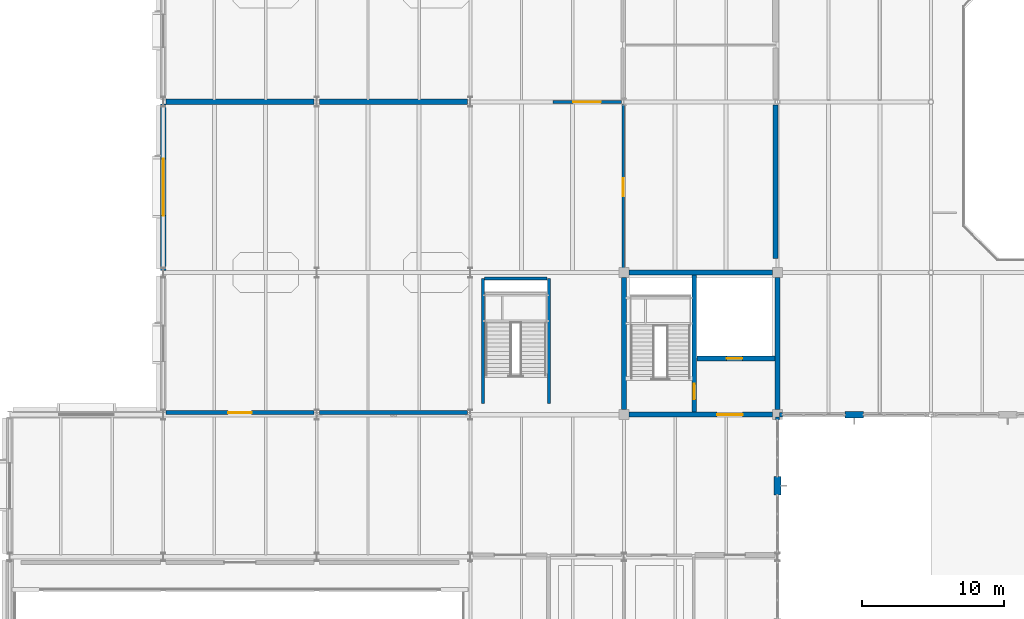
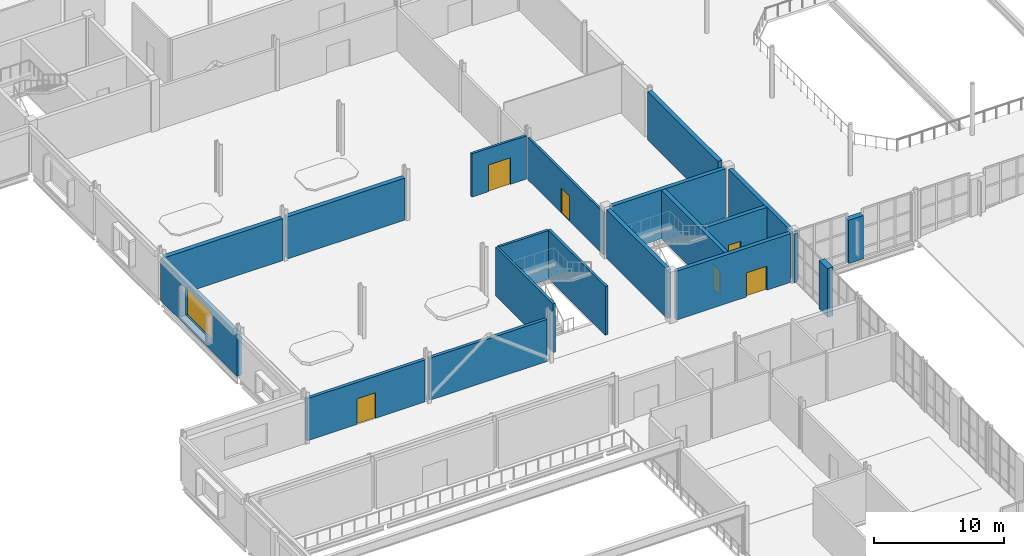
# One storey, part 75 of 92: 21 walls, 6 doors, 1 window, 7 openings.
"""IFC4 building model written with IfcOpenShell, lengths in metres."""

from ifc_helpers import new_model, si_unit, direction, frame, frame_2d, origin, place, context, subcontext, project, spatial, rectangle, extrude, material, layer, layer_set, type_object, element, fill, save


model = new_model("IFC4")

# Units and contexts
model_context = context("Model", 3, precision=1e-05, world=origin(), true_north=direction((0.0, 1.0)))
body_context = subcontext(model_context, "Body", "Model", "MODEL_VIEW")
ifc_project = project(units=[si_unit("LENGTHUNIT", "METRE"), si_unit("AREAUNIT", "SQUARE_METRE"), si_unit("VOLUMEUNIT", "CUBIC_METRE"), si_unit("PLANEANGLEUNIT", "RADIAN"), si_unit("MASSUNIT", "GRAM", prefix="KILO")], contexts=[model_context])

# Site, building, storey
site_placement = place(None, origin())
site = spatial("IfcSite", under=ifc_project, at=site_placement, CompositionType="ELEMENT")
building_placement = place(site_placement, origin())
building = spatial("IfcBuilding", under=site, at=building_placement, Name="Tasgan Crest Museum", CompositionType="ELEMENT")
storey_placement = place(building_placement, frame((0.0, 0.0, 4.800048828125)))
storey = spatial("IfcBuildingStorey", under=building, at=storey_placement, Name="L01", CompositionType="ELEMENT", Elevation=4.800048828125)

# Wall, opening, door
ifc_material_1 = material(Name="Double-Stud Acoustic Auditorium Wall")
ifc_layer_1 = layer(ifc_material_1, 0.280029296875, Name="WL-ACOUST-280")
ifc_layer_set_1 = layer_set([ifc_layer_1], Name="Double-Stud Acoustic Auditorium Wall")
wall_type_1 = type_object("IfcWallType", Name="WL-ACOUST-280", PredefinedType="SOLIDWALL", material=ifc_layer_set_1)
wall_1_placement = place(storey_placement, frame((10.97998046875, 40.139892578125, 0.0), z_axis=(0.0, 0.0, 1.0), x_axis=(1.0, 0.0, 0.0)))
wall_1 = element("IfcWall", 1, at=wall_1_placement, inside=storey, type_object=wall_type_1, Name="Partition Upper Auditorium Balcony Foyer / Steppe Botany Exhibition Gallery L01", PredefinedType="SOLIDWALL", context=body_context, shape_type="SweptSolid", body=[
    extrude(rectangle(XDim=10.419921875, YDim=0.280029296875, at=frame_2d((5.2099609375, 0.0))), origin(), (0.0, 0.0, 1.0), 3.93896484375),
])
opening_1_placement = place(wall_1_placement, frame((4.385009765625, 0.0, 0.0)))
opening_1 = element("IfcOpeningElement", 2, at=opening_1_placement, cuts=wall_1, Name="Opening D039", PredefinedType="OPENING", context=body_context, shape_type="SweptSolid", body=[
    extrude(rectangle(XDim=1.64990234375, YDim=2.39990234375, at=frame_2d((0.824951171875, 1.199951171875))), frame((0.0, 0.14990234375, 0.0), z_axis=(0.0, -1.0, 0.0), x_axis=(1.0, 0.0, 0.0)), (0.0, 0.0, 1.0), 0.300048828125),
])
ifc_material_2 = material(Name="Oak and Brushed Bronze Acoustic Door")
door_type_1 = type_object("IfcDoorType", Name="DR-SCH-11", OperationType="NOTDEFINED", PredefinedType="DOOR", material=ifc_material_2)
door_1_placement = place(opening_1_placement, origin())
door_1 = element("IfcDoor", 3, at=door_1_placement, inside=storey, type_object=door_type_1, Name="Steppe Botany Exhibition Gallery door D039", OperationType="SINGLE_SWING_LEFT", OverallHeight=2.39990234375, OverallWidth=1.64990234375, PredefinedType="DOOR", context=body_context, shape_type="SweptSolid", body=[
    extrude(rectangle(XDim=1.64990234375, YDim=2.39990234375, at=frame_2d((0.824951171875, 1.199951171875))), frame((0.0, 0.02490234375, 0.0), z_axis=(0.0, -1.0, 0.0), x_axis=(1.0, 0.0, 0.0)), (0.0, 0.0, 1.0), 0.050048828125),
])
fill(opening_1, door_1)

# Wall
wall_2_placement = place(storey_placement, frame((21.800048828125, 40.139892578125, 0.0), z_axis=(0.0, 0.0, 1.0), x_axis=(1.0, 0.0, 0.0)))
element("IfcWall", 4, at=wall_2_placement, inside=storey, type_object=wall_type_1, Name="Partition Upper Auditorium Balcony Foyer / Steppe Botany Exhibition Gallery L01", PredefinedType="SOLIDWALL", context=body_context, shape_type="SweptSolid", body=[
    extrude(rectangle(XDim=10.39990234375, YDim=0.280029296875, at=frame_2d((5.199951171875, 0.0))), origin(), (0.0, 0.0, 1.0), 3.93896484375),
])

# Wall, opening, door
ifc_material_3 = material(Name="Concrete C40/50", Category="concrete")
ifc_layer_2 = layer(ifc_material_3, 0.35009765625, Name="WL-CORE-350")
ifc_layer_set_2 = layer_set([ifc_layer_2], Name="Concrete C40/50")
wall_type_2 = type_object("IfcWallType", Name="WL-CORE-350", PredefinedType="SHEAR", material=ifc_layer_set_2)
wall_3_placement = place(storey_placement, frame((43.550048828125, 40.0, 0.0), z_axis=(0.0, 0.0, 1.0), x_axis=(1.0, 0.0, 0.0)))
wall_3 = element("IfcWall", 5, at=wall_3_placement, inside=storey, type_object=wall_type_2, Name="South-West Foyer & Paleontology Core south shear wall L01", PredefinedType="SHEAR", context=body_context, shape_type="SweptSolid", body=[
    extrude(rectangle(XDim=10.099853515625, YDim=0.35009765625, at=frame_2d((5.0498046875, 0.0))), origin(), (0.0, 0.0, 1.0), 4.56005859375),
])
opening_2_placement = place(wall_3_placement, frame((6.2099609375, 0.0, 0.0)))
opening_2 = element("IfcOpeningElement", 6, at=opening_2_placement, cuts=wall_3, Name="Opening LD-SW-L01", PredefinedType="OPENING", context=body_context, shape_type="SweptSolid", body=[
    extrude(rectangle(XDim=1.800048828125, YDim=2.25, at=frame_2d((0.89990234375, 1.125))), frame((0.0, 0.18505859375, 0.0), z_axis=(0.0, -1.0, 0.0), x_axis=(1.0, 0.0, 0.0)), (0.0, 0.0, 1.0), 0.3701171875),
])
ifc_material_4 = material(Name="Fire-Rated Double Lobby Door")
door_type_2 = type_object("IfcDoorType", Name="DR-FD2-1800", OperationType="NOTDEFINED", PredefinedType="DOOR", material=ifc_material_4)
door_2_placement = place(opening_2_placement, origin())
door_2 = element("IfcDoor", 7, at=door_2_placement, inside=storey, type_object=door_type_2, Name="South-West Foyer & Paleontology Core lobby door L01", OperationType="DOUBLE_DOOR_SINGLE_SWING", OverallHeight=2.25, OverallWidth=1.800048828125, PredefinedType="DOOR", context=body_context, shape_type="SweptSolid", body=[
    extrude(rectangle(XDim=1.800048828125, YDim=2.25, at=frame_2d((0.89990234375, 1.125))), frame((0.0, 0.02490234375, 0.0), z_axis=(0.0, -1.0, 0.0), x_axis=(1.0, 0.0, 0.0)), (0.0, 0.0, 1.0), 0.050048828125),
])
fill(opening_2, door_2)

# Walls
wall_4_placement = place(storey_placement, frame((43.550048828125, 50.0, 0.0), z_axis=(0.0, 0.0, 1.0), x_axis=(1.0, 0.0, 0.0)))
element("IfcWall", 8, at=wall_4_placement, inside=storey, type_object=wall_type_2, Name="South-West Foyer & Paleontology Core north shear wall L01", PredefinedType="SHEAR", context=body_context, shape_type="SweptSolid", body=[
    extrude(rectangle(XDim=10.099853515625, YDim=0.35009765625, at=frame_2d((5.0498046875, 0.0))), origin(), (0.0, 0.0, 1.0), 4.56005859375),
])
for number, where, z_axis, x_axis, name in (
    (9, (43.199951171875, 40.35009765625, 0.0), (0.0, 0.0, 1.0), (0.0, 1.0, 0.0), "South-West Foyer & Paleontology Core west shear wall L01"),
    (10, (54.0, 40.35009765625, 0.0), (0.0, 0.0, 1.0), (0.0, 1.0, 0.0), "South-West Foyer & Paleontology Core east shear wall L01"),
):
    element("IfcWall", number, at=place(storey_placement, frame(where, z_axis=z_axis, x_axis=x_axis)), inside=storey, type_object=wall_type_2, Name=name, PredefinedType="SHEAR", context=body_context, shape_type="SweptSolid", body=[
        extrude(rectangle(XDim=9.2998046875, YDim=0.35009765625, at=frame_2d((4.64990234375, 0.0))), origin(), (0.0, 0.0, 1.0), 4.56005859375),
    ])

# Wall, opening, door
wall_5_placement = place(storey_placement, frame((48.14990234375, 40.175048828125, 0.0), z_axis=(0.0, 0.0, 1.0), x_axis=(0.0, 1.0, 0.0)))
wall_5 = element("IfcWall", 11, at=wall_5_placement, inside=storey, type_object=wall_type_2, Name="South-West Foyer & Paleontology Core stair-lobby shear wall L01", PredefinedType="SHEAR", context=body_context, shape_type="SweptSolid", body=[
    extrude(rectangle(XDim=9.64990234375, YDim=0.35009765625, at=frame_2d((4.824951171875, 0.0))), origin(), (0.0, 0.0, 1.0), 4.56005859375),
])
opening_3_placement = place(wall_5_placement, frame((0.89990234375, 0.0, 0.0)))
opening_3 = element("IfcOpeningElement", 12, at=opening_3_placement, cuts=wall_5, Name="Opening SD-SW-L01", PredefinedType="OPENING", context=body_context, shape_type="SweptSolid", body=[
    extrude(rectangle(XDim=1.10009765625, YDim=2.199951171875, at=frame_2d((0.550048828125, 1.10009765625))), frame((0.0, 0.18505859375, 0.0), z_axis=(0.0, -1.0, 0.0), x_axis=(1.0, 0.0, 0.0)), (0.0, 0.0, 1.0), 0.3701171875),
])
ifc_material_5 = material(Name="Fire-Rated Steel Door", Category="steel")
door_type_3 = type_object("IfcDoorType", Name="DR-FD1-1100", OperationType="NOTDEFINED", PredefinedType="DOOR", material=ifc_material_5)
door_3_placement = place(opening_3_placement, origin())
door_3 = element("IfcDoor", 13, at=door_3_placement, inside=storey, type_object=door_type_3, Name="South-West Foyer & Paleontology Core stair door L01", OperationType="SINGLE_SWING_RIGHT", OverallHeight=2.199951171875, OverallWidth=1.10009765625, PredefinedType="DOOR", context=body_context, shape_type="SweptSolid", body=[
    extrude(rectangle(XDim=1.10009765625, YDim=2.199951171875, at=frame_2d((0.550048828125, 1.10009765625))), frame((0.0, 0.02490234375, 0.0), z_axis=(0.0, -1.0, 0.0), x_axis=(1.0, 0.0, 0.0)), (0.0, 0.0, 1.0), 0.050048828125),
])
fill(opening_3, door_3)

wall_6_placement = place(storey_placement, frame((48.330078125, 43.949951171875, 0.0), z_axis=(0.0, 0.0, 1.0), x_axis=(1.0, 0.0, 0.0)))
wall_6 = element("IfcWall", 14, at=wall_6_placement, inside=storey, type_object=wall_type_2, Name="South-West Foyer & Paleontology Core lift-shaft wall L01", PredefinedType="SHEAR", context=body_context, shape_type="SweptSolid", body=[
    extrude(rectangle(XDim=5.489990234375, YDim=0.35009765625, at=frame_2d((2.7451171875, 0.0))), origin(), (0.0, 0.0, 1.0), 4.56005859375),
])
opening_4_placement = place(wall_6_placement, frame((2.10009765625, 0.0, 0.0)))
opening_4 = element("IfcOpeningElement", 15, at=opening_4_placement, cuts=wall_6, Name="Opening LD-PL3", PredefinedType="OPENING", context=body_context, shape_type="SweptSolid", body=[
    extrude(rectangle(XDim=1.10009765625, YDim=2.199951171875, at=frame_2d((0.550048828125, 1.10009765625))), frame((0.0, 0.18505859375, 0.0), z_axis=(0.0, -1.0, 0.0), x_axis=(1.0, 0.0, 0.0)), (0.0, 0.0, 1.0), 0.3701171875),
])
ifc_material_6 = material(Name="Brushed Bronze Passenger Lift Landing Door")
door_type_4 = type_object("IfcDoorType", Name="LD-PAX-1100", OperationType="NOTDEFINED", PredefinedType="DOOR", material=ifc_material_6)
door_4_placement = place(opening_4_placement, origin())
door_4 = element("IfcDoor", 16, at=door_4_placement, inside=storey, type_object=door_type_4, Name="Lift landing sliding door PL3 L01", OperationType="DOUBLE_DOOR_SLIDING", OverallHeight=2.199951171875, OverallWidth=1.10009765625, PredefinedType="DOOR", context=body_context, shape_type="SweptSolid", body=[
    extrude(rectangle(XDim=1.10009765625, YDim=2.199951171875, at=frame_2d((0.550048828125, 1.10009765625))), frame((0.0, 0.02490234375, 0.0), z_axis=(0.0, -1.0, 0.0), x_axis=(1.0, 0.0, 0.0)), (0.0, 0.0, 1.0), 0.050048828125),
])
fill(opening_4, door_4)

# Wall, opening, window
ifc_material_7 = material(Name="Precast concrete C40/50", Category="concrete")
ifc_layer_3 = layer(ifc_material_7, 0.3798828125, Name="WL-EXT-CANT-380")
ifc_layer_set_3 = layer_set([ifc_layer_3], Name="Precast concrete C40/50")
wall_type_3 = type_object("IfcWallType", Name="WL-EXT-CANT-380", PredefinedType="STANDARD", material=ifc_layer_set_3)
wall_7_placement = place(storey_placement, frame((10.800048828125, 61.85498046875, 0.0), z_axis=(0.0, 0.0, 1.0), x_axis=(0.0, -1.0, 0.0)))
wall_7 = element("IfcWall", 17, at=wall_7_placement, inside=storey, type_object=wall_type_3, Name="Exterior wall L01 (10.8,56.0)", PredefinedType="STANDARD", context=body_context, shape_type="SweptSolid", body=[
    extrude(rectangle(XDim=11.7099609375, YDim=0.3798828125, at=frame_2d((5.85498046875, 0.0))), origin(), (0.0, 0.0, 1.0), 3.93896484375),
])
opening_5_placement = place(wall_7_placement, frame((3.85498046875, 0.0, 1.0)))
opening_5 = element("IfcOpeningElement", 18, at=opening_5_placement, cuts=wall_7, Name="Opening W27", PredefinedType="OPENING", context=body_context, shape_type="SweptSolid", body=[
    extrude(rectangle(XDim=4.0, YDim=2.60009765625, at=frame_2d((2.0, 1.300048828125))), frame((0.0, 0.199951171875, 0.0), z_axis=(0.0, -1.0, 0.0), x_axis=(1.0, 0.0, 0.0)), (0.0, 0.0, 1.0), 0.39990234375),
])
ifc_material_8 = material(Name="Thermally Broken Triple-Glazed Aluminium", Category="aluminium")
window_type = type_object("IfcWindowType", Name="WN-FOY-4000X2600", PartitioningType="SINGLE_PANEL", PredefinedType="WINDOW", material=ifc_material_8)
window_placement = place(opening_5_placement, origin())
window = element("IfcWindow", 19, at=window_placement, inside=storey, type_object=window_type, Name="Window W27 L01-034", OverallHeight=2.60009765625, OverallWidth=4.0, PartitioningType="SINGLE_PANEL", PredefinedType="WINDOW", context=body_context, shape_type="SweptSolid", body=[
    extrude(rectangle(XDim=4.0, YDim=2.60009765625, at=frame_2d((2.0, 1.300048828125))), frame((0.0, 0.030029296875, 0.0), z_axis=(0.0, -1.0, 0.0), x_axis=(1.0, 0.0, 0.0)), (0.0, 0.0, 1.0), 0.06005859375),
])
fill(opening_5, window)

# Walls
ifc_material_9 = material(Name="Precast concrete C40/50", Category="concrete")
ifc_layer_4 = layer(ifc_material_9, 0.320068359375, Name="WL-EXT-CLER-320")
ifc_layer_set_4 = layer_set([ifc_layer_4], Name="Precast concrete C40/50")
wall_type_4 = type_object("IfcWallType", Name="WL-EXT-CLER-320", PredefinedType="STANDARD", material=ifc_layer_set_4)
for number, where, z_axis, x_axis, name in (
    (20, (54.0, 39.6298828125, 0.0), (0.0, 0.0, 1.0), (0.0, 1.0, 0.0), "Curtain wall jamb closure L01 JR"),
    (21, (54.14501953125, 40.0, 0.0), (0.0, 0.0, 1.0), (1.0, 0.0, 0.0), "Curtain wall jamb closure L01 JL"),
):
    element("IfcWall", number, at=place(storey_placement, frame(where, z_axis=z_axis, x_axis=x_axis)), inside=storey, type_object=wall_type_4, Name=name, PredefinedType="STANDARD", context=body_context, shape_type="SweptSolid", body=[
        extrude(rectangle(XDim=0.22509765625, YDim=0.300048828125, at=frame_2d((0.112548828125, 0.0))), origin(), (0.0, 0.0, 1.0), 4.56005859375),
    ])
ifc_material_10 = material(Name="Precast concrete C40/50", Category="concrete")
ifc_layer_5 = layer(ifc_material_10, 0.47998046875, Name="WL-EXT-GRAN-480")
ifc_layer_set_5 = layer_set([ifc_layer_5], Name="Precast concrete C40/50")
wall_type_5 = type_object("IfcWallType", Name="WL-EXT-GRAN-480", PredefinedType="STANDARD", material=ifc_layer_set_5)
wall_8_placement = place(storey_placement, frame((54.0, 34.35009765625, 0.0), z_axis=(0.0, 0.0, 1.0), x_axis=(0.0, 1.0, 0.0)))
element("IfcWall", 22, at=wall_8_placement, inside=storey, type_object=wall_type_5, Name="Postmodern facade stone pier L01", PredefinedType="STANDARD", context=body_context, shape_type="SweptSolid", body=[
    extrude(rectangle(XDim=1.2998046875, YDim=0.47998046875, at=frame_2d((0.64990234375, 0.0))), origin(), (0.0, 0.0, 1.0), 4.56005859375),
])
wall_9_placement = place(storey_placement, frame((58.75, 40.0, 0.0), z_axis=(0.0, 0.0, 1.0), x_axis=(1.0, 0.0, 0.0)))
element("IfcWall", 23, at=wall_9_placement, inside=storey, type_object=wall_type_5, Name="Postmodern facade stone pier L01", PredefinedType="STANDARD", context=body_context, shape_type="SweptSolid", body=[
    extrude(rectangle(XDim=1.300048828125, YDim=0.47998046875, at=frame_2d((0.64990234375, 0.0))), origin(), (0.0, 0.0, 1.0), 4.06005859375),
])

# Wall, opening, door
ifc_material_11 = material(Name="Gypsum Acoustic Museum Partition")
ifc_layer_6 = layer(ifc_material_11, 0.18994140625, Name="WL-SCH-05")
ifc_layer_set_6 = layer_set([ifc_layer_6], Name="Gypsum Acoustic Museum Partition")
wall_type_6 = type_object("IfcWallType", Name="WL-SCH-05", PredefinedType="PARTITIONING", material=ifc_layer_set_6)
wall_10_placement = place(storey_placement, frame((43.14990234375, 50.179931640625, 0.0), z_axis=(0.0, 0.0, 1.0), x_axis=(0.0, 1.0, 0.0)))
wall_10 = element("IfcWall", 24, at=wall_10_placement, inside=storey, type_object=wall_type_6, Name="Partition First Floor West Gallery Corridor / Botany Curatorial Study L01", PredefinedType="PARTITIONING", context=body_context, shape_type="SweptSolid", body=[
    extrude(rectangle(XDim=11.64013671875, YDim=0.18994140625, at=frame_2d((5.820068359375, 0.0))), origin(), (0.0, 0.0, 1.0), 3.93896484375),
])
opening_6_placement = place(wall_10_placement, frame((5.179931640625, 0.0, 0.0)))
opening_6 = element("IfcOpeningElement", 25, at=opening_6_placement, cuts=wall_10, Name="Opening D052", PredefinedType="OPENING", context=body_context, shape_type="SweptSolid", body=[
    extrude(rectangle(XDim=1.280029296875, YDim=2.320068359375, at=frame_2d((0.64013671875, 1.16015625))), frame((0.0, 0.10498046875, 0.0), z_axis=(0.0, -1.0, 0.0), x_axis=(1.0, 0.0, 0.0)), (0.0, 0.0, 1.0), 0.2099609375),
])
ifc_material_12 = material(Name="Oak and Brushed Bronze Acoustic Door")
door_type_5 = type_object("IfcDoorType", Name="DR-SCH-24", OperationType="NOTDEFINED", PredefinedType="DOOR", material=ifc_material_12)
door_5_placement = place(opening_6_placement, origin())
door_5 = element("IfcDoor", 26, at=door_5_placement, inside=storey, type_object=door_type_5, Name="Botany Curatorial Study door D052", OperationType="SINGLE_SWING_LEFT", OverallHeight=2.320068359375, OverallWidth=1.280029296875, PredefinedType="DOOR", context=body_context, shape_type="SweptSolid", body=[
    extrude(rectangle(XDim=1.280029296875, YDim=2.320068359375, at=frame_2d((0.64013671875, 1.16015625))), frame((0.0, 0.02490234375, 0.0), z_axis=(0.0, -1.0, 0.0), x_axis=(1.0, 0.0, 0.0)), (0.0, 0.0, 1.0), 0.050048828125),
])
fill(opening_6, door_5)

ifc_material_13 = material(Name="Gypsum Acoustic Museum Partition")
ifc_layer_7 = layer(ifc_material_13, 0.2099609375, Name="WL-SCH-06")
ifc_layer_set_7 = layer_set([ifc_layer_7], Name="Gypsum Acoustic Museum Partition")
wall_type_7 = type_object("IfcWallType", Name="WL-SCH-06", PredefinedType="PARTITIONING", material=ifc_layer_set_7)
wall_11_placement = place(storey_placement, frame((38.199951171875, 62.0, 0.0), z_axis=(0.0, 0.0, 1.0), x_axis=(1.0, 0.0, 0.0)))
wall_11 = element("IfcWall", 27, at=wall_11_placement, inside=storey, type_object=wall_type_7, Name="Partition First Floor West Gallery Corridor / Altai Fauna Diorama Gallery L01", PredefinedType="PARTITIONING", context=body_context, shape_type="SweptSolid", body=[
    extrude(rectangle(XDim=4.820068359375, YDim=0.2099609375, at=frame_2d((2.41015625, 0.0))), origin(), (0.0, 0.0, 1.0), 4.049072265625),
])
opening_7_placement = place(wall_11_placement, frame((1.43505859375, 0.0, 0.0)))
opening_7 = element("IfcOpeningElement", 28, at=opening_7_placement, cuts=wall_11, Name="Opening D042", PredefinedType="OPENING", context=body_context, shape_type="SweptSolid", body=[
    extrude(rectangle(XDim=1.949951171875, YDim=2.5, at=frame_2d((0.97509765625, 1.25))), frame((0.0, 0.114990234375, 0.0), z_axis=(0.0, -1.0, 0.0), x_axis=(1.0, 0.0, 0.0)), (0.0, 0.0, 1.0), 0.22998046875),
])
ifc_material_14 = material(Name="Oak and Brushed Bronze Acoustic Door")
door_type_6 = type_object("IfcDoorType", Name="DR-SCH-14", OperationType="NOTDEFINED", PredefinedType="DOOR", material=ifc_material_14)
door_6_placement = place(opening_7_placement, origin())
door_6 = element("IfcDoor", 29, at=door_6_placement, inside=storey, type_object=door_type_6, Name="Altai Fauna Diorama Gallery door D042", OperationType="DOUBLE_DOOR_SINGLE_SWING", OverallHeight=2.5, OverallWidth=1.949951171875, PredefinedType="DOOR", context=body_context, shape_type="SweptSolid", body=[
    extrude(rectangle(XDim=1.949951171875, YDim=2.5, at=frame_2d((0.97509765625, 1.25))), frame((0.0, 0.02490234375, 0.0), z_axis=(0.0, -1.0, 0.0), x_axis=(1.0, 0.0, 0.0)), (0.0, 0.0, 1.0), 0.050048828125),
])
fill(opening_7, door_6)

# Walls
ifc_material_15 = material(Name="Gypsum Acoustic Museum Partition")
ifc_layer_8 = layer(ifc_material_15, 0.3701171875, Name="WL-SCH-12")
ifc_layer_set_8 = layer_set([ifc_layer_8], Name="Gypsum Acoustic Museum Partition")
wall_type_8 = type_object("IfcWallType", Name="WL-SCH-12", PredefinedType="PARTITIONING", material=ifc_layer_set_8)
wall_12_placement = place(storey_placement, frame((53.860107421875, 51.0, 0.0), z_axis=(0.0, 0.0, 1.0), x_axis=(0.0, 1.0, 0.0)))
element("IfcWall", 30, at=wall_12_placement, inside=storey, type_object=wall_type_8, Name="Partition Botany Curatorial Study / Winter-Garden West Ramp Promenade L01", PredefinedType="PARTITIONING", context=body_context, shape_type="SweptSolid", body=[
    extrude(rectangle(XDim=10.800048828125, YDim=0.3701171875, at=frame_2d((5.39990234375, 0.0))), origin(), (0.0, 0.0, 1.0), 4.52001953125),
])
ifc_material_16 = material(Name="Gypsum Acoustic Museum Partition")
ifc_layer_9 = layer(ifc_material_16, 0.389892578125, Name="WL-SCH-13")
ifc_layer_set_9 = layer_set([ifc_layer_9], Name="Gypsum Acoustic Museum Partition")
wall_type_9 = type_object("IfcWallType", Name="WL-SCH-13", PredefinedType="PARTITIONING", material=ifc_layer_set_9)
wall_13_placement = place(storey_placement, frame((10.97998046875, 62.0, 0.0), z_axis=(0.0, 0.0, 1.0), x_axis=(1.0, 0.0, 0.0)))
element("IfcWall", 31, at=wall_13_placement, inside=storey, type_object=wall_type_9, Name="Partition Steppe Botany Exhibition Gallery / Altai Fauna Diorama Gallery L01", PredefinedType="PARTITIONING", context=body_context, shape_type="SweptSolid", body=[
    extrude(rectangle(XDim=10.419921875, YDim=0.389892578125, at=frame_2d((5.2099609375, 0.0))), origin(), (0.0, 0.0, 1.0), 3.93896484375),
])
wall_14_placement = place(storey_placement, frame((21.800048828125, 62.0, 0.0), z_axis=(0.0, 0.0, 1.0), x_axis=(1.0, 0.0, 0.0)))
element("IfcWall", 32, at=wall_14_placement, inside=storey, type_object=wall_type_9, Name="Partition Steppe Botany Exhibition Gallery / Altai Fauna Diorama Gallery L01", PredefinedType="PARTITIONING", context=body_context, shape_type="SweptSolid", body=[
    extrude(rectangle(XDim=10.39990234375, YDim=0.389892578125, at=frame_2d((5.199951171875, 0.0))), origin(), (0.0, 0.0, 1.0), 3.93896484375),
])
ifc_material_17 = material(Name="Concrete C40/50", Category="concrete")
ifc_layer_10 = layer(ifc_material_17, 0.219970703125, Name="WL-SHAFT-220")
ifc_layer_set_10 = layer_set([ifc_layer_10], Name="Concrete C40/50")
wall_type_10 = type_object("IfcWallType", Name="WL-SHAFT-220", PredefinedType="SHEAR", material=ifc_layer_set_10)
for number, where, z_axis, x_axis, name in (
    (33, (33.280029296875, 40.800048828125, 0.0), (0.0, 0.0, 1.0), (0.0, 1.0, 0.0), "GALP stairwell wall L01 W"),
    (34, (37.919921875, 40.800048828125, 0.0), (0.0, 0.0, 1.0), (0.0, 1.0, 0.0), "GALP stairwell wall L01 E"),
):
    element("IfcWall", number, at=place(storey_placement, frame(where, z_axis=z_axis, x_axis=x_axis)), inside=storey, type_object=wall_type_10, Name=name, PredefinedType="SHEAR", context=body_context, shape_type="SweptSolid", body=[
        extrude(rectangle(XDim=8.77001953125, YDim=0.219970703125, at=frame_2d((4.385009765625, 0.0))), origin(), (0.0, 0.0, 1.0), 4.56005859375),
    ])
wall_15_placement = place(storey_placement, frame((33.39990234375, 49.570068359375, 0.0), z_axis=(0.0, 0.0, 1.0), x_axis=(1.0, 0.0, 0.0)))
element("IfcWall", 35, at=wall_15_placement, inside=storey, type_object=wall_type_10, Name="GALP stairwell wall L01 N", PredefinedType="SHEAR", context=body_context, shape_type="SweptSolid", body=[
    extrude(rectangle(XDim=4.400146484375, YDim=0.219970703125, at=frame_2d((2.2001953125, 0.0))), origin(), (0.0, 0.0, 1.0), 4.56005859375),
])

save(model, "model.ifc")
